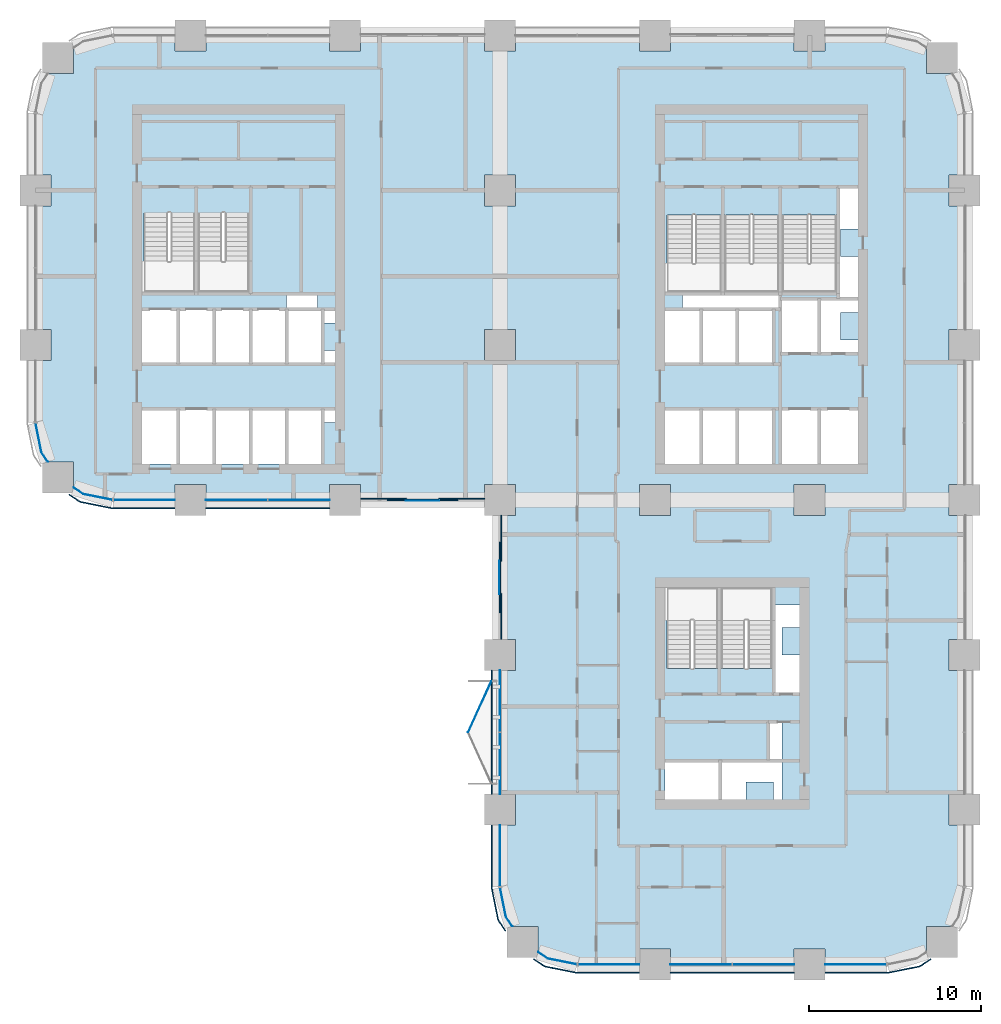
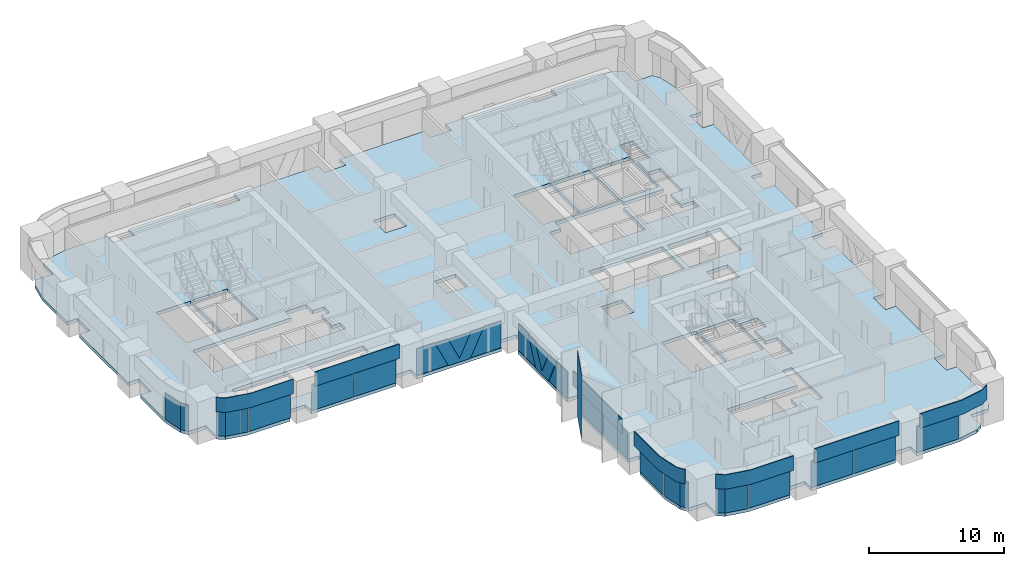
# One storey, part 10 of 19: 30 plates, 1 slab, 10 elements without a shape of their own.
"""IFC4 building model written with IfcOpenShell, lengths in metres."""

from ifc_helpers import new_model, si_unit, direction, frame, origin, origin_2d, place, context, subcontext, project, spatial, polyline, rectangle, outline, extrude, material, layer, layer_set, type_object, element, aggregate, save


model = new_model("IFC4")

# Units and contexts
model_context = context("Model", 3, precision=1e-05, world=origin(), true_north=direction((0.0, 1.0)))
body_context = subcontext(model_context, "Body", "Model", "MODEL_VIEW")
ifc_project = project(units=[si_unit("LENGTHUNIT", "METRE"), si_unit("AREAUNIT", "SQUARE_METRE"), si_unit("VOLUMEUNIT", "CUBIC_METRE"), si_unit("PLANEANGLEUNIT", "RADIAN"), si_unit("MASSUNIT", "GRAM", prefix="KILO")], contexts=[model_context])

# Site, building, storey
site_placement = place(None, origin())
site = spatial("IfcSite", under=ifc_project, at=site_placement, CompositionType="ELEMENT")
building_placement = place(site_placement, origin())
building = spatial("IfcBuilding", under=site, at=building_placement, Name="Tessera Arch", CompositionType="ELEMENT")
storey_placement = place(building_placement, frame((0.0, 0.0, 85.39990234375)))
storey = spatial("IfcBuildingStorey", under=building, at=storey_placement, Name="L19", CompositionType="ELEMENT", Elevation=85.39990234375)

# Curtain wall, plates
ifc_material_1 = material(Name="CW1 curtain wall")
curtain_wall_type_1 = type_object("IfcCurtainWallType", Name="CW1 curtain wall", PredefinedType="NOTDEFINED", material=ifc_material_1)
curtain_wall_1_placement = place(storey_placement, origin())
curtain_wall_1 = element("IfcCurtainWall", 1, at=curtain_wall_1_placement, inside=storey, type_object=curtain_wall_type_1, Name="CW1 curtain wall S27.0/1 L19", PredefinedType="NOTDEFINED")
ifc_material_2 = material(Name="Clear low-e glass", Category="glass")
ifc_material_3 = material(Name="Clear low-e glass", Category="glass")
ifc_layer_1 = layer(ifc_material_3, 0.028076171875)
ifc_layer_set_1 = layer_set([ifc_layer_1], Name="CW1 glass panel")
plate_type_1 = type_object("IfcPlateType", Name="CW1 glass panel", PredefinedType="CURTAIN_PANEL", material=ifc_layer_set_1)
plate_1_placement = place(storey_placement, frame((11.68505859375, 27.0, 0.000244140625), z_axis=(0.0, 0.0, 1.0), x_axis=(1.0, 0.0, 0.0)))
plate_1 = element("IfcPlate", 2, at=plate_1_placement, type_object=plate_type_1, material=ifc_material_2, Name="CW1 glass panel S27.0/1 1.1.1", PredefinedType="CURTAIN_PANEL", context=body_context, shape_type="SweptSolid", body=[
    extrude(rectangle(XDim=3.570068359375, YDim=0.028076171875, at=origin_2d()), origin(), (0.0, 0.0, 1.0), 2.39990234375),
])
plate_2_placement = place(storey_placement, frame((15.31494140625, 27.0, 0.000244140625), z_axis=(0.0, 0.0, 1.0), x_axis=(1.0, 0.0, 0.0)))
plate_2 = element("IfcPlate", 3, at=plate_2_placement, type_object=plate_type_1, material=ifc_material_2, Name="CW1 glass panel S27.0/1 1.2.1", PredefinedType="CURTAIN_PANEL", context=body_context, shape_type="SweptSolid", body=[
    extrude(rectangle(XDim=3.570068359375, YDim=0.028076171875, at=origin_2d()), origin(), (0.0, 0.0, 1.0), 2.39990234375),
])

curtain_wall_2_placement = place(storey_placement, origin())
curtain_wall_2 = element("IfcCurtainWall", 4, at=curtain_wall_2_placement, inside=storey, type_object=curtain_wall_type_1, Name="CW1 curtain wall W27.0/1 L19", PredefinedType="NOTDEFINED")
plate_3_placement = place(storey_placement, frame((27.0, 15.31494140625, 0.000244140625), z_axis=(0.0, 0.0, 1.0), x_axis=(0.0, -1.0, 0.0)))
plate_3 = element("IfcPlate", 5, at=plate_3_placement, type_object=plate_type_1, material=ifc_material_2, Name="CW1 glass panel W27.0/1 1.1.1", PredefinedType="CURTAIN_PANEL", context=body_context, shape_type="SweptSolid", body=[
    extrude(rectangle(XDim=3.570068359375, YDim=0.028076171875, at=origin_2d()), origin(), (0.0, 0.0, 1.0), 2.39990234375),
])
plate_4_placement = place(storey_placement, frame((27.0, 11.68505859375, 0.000244140625), z_axis=(0.0, 0.0, 1.0), x_axis=(0.0, -1.0, 0.0)))
plate_4 = element("IfcPlate", 6, at=plate_4_placement, type_object=plate_type_1, material=ifc_material_2, Name="CW1 glass panel W27.0/1 1.2.1", PredefinedType="CURTAIN_PANEL", context=body_context, shape_type="SweptSolid", body=[
    extrude(rectangle(XDim=3.570068359375, YDim=0.028076171875, at=origin_2d()), origin(), (0.0, 0.0, 1.0), 2.39990234375),
])

curtain_wall_3_placement = place(storey_placement, origin())
curtain_wall_3 = element("IfcCurtainWall", 7, at=curtain_wall_3_placement, inside=storey, type_object=curtain_wall_type_1, Name="CW1 curtain wall S0.27/1 L19", PredefinedType="NOTDEFINED")
plate_5_placement = place(storey_placement, frame((38.68505859375, 0.0, 0.000244140625), z_axis=(0.0, 0.0, 1.0), x_axis=(1.0, 0.0, 0.0)))
plate_5 = element("IfcPlate", 8, at=plate_5_placement, type_object=plate_type_1, material=ifc_material_2, Name="CW1 glass panel S0.27/1 1.1.1", PredefinedType="CURTAIN_PANEL", context=body_context, shape_type="SweptSolid", body=[
    extrude(rectangle(XDim=3.570068359375, YDim=0.028076171875, at=origin_2d()), origin(), (0.0, 0.0, 1.0), 2.39990234375),
])
plate_6_placement = place(storey_placement, frame((42.31494140625, 0.0, 0.000244140625), z_axis=(0.0, 0.0, 1.0), x_axis=(1.0, 0.0, 0.0)))
plate_6 = element("IfcPlate", 9, at=plate_6_placement, type_object=plate_type_1, material=ifc_material_2, Name="CW1 glass panel S0.27/1 1.2.1", PredefinedType="CURTAIN_PANEL", context=body_context, shape_type="SweptSolid", body=[
    extrude(rectangle(XDim=3.570068359375, YDim=0.028076171875, at=origin_2d()), origin(), (0.0, 0.0, 1.0), 2.39990234375),
])

# Plate
ifc_material_4 = material(Name="Pale anodised aluminium panel", Category="aluminium")
ifc_layer_2 = layer(ifc_material_4, 0.06005859375)
ifc_layer_set_2 = layer_set([ifc_layer_2], Name="CW1 spandrel panel")
plate_type_2 = type_object("IfcPlateType", Name="CW1 spandrel panel", PredefinedType="CURTAIN_PANEL", material=ifc_layer_set_2)
plate_7_placement = place(storey_placement, frame((13.5, 26.52001953125, 2.5), z_axis=(0.0, 0.0, 1.0), x_axis=(1.0, 0.0, 0.0)))
plate_7 = element("IfcPlate", 10, at=plate_7_placement, type_object=plate_type_2, Name="CW1 spandrel panel S27.0/1", PredefinedType="CURTAIN_PANEL", context=body_context, shape_type="SweptSolid", body=[
    extrude(rectangle(XDim=7.199951171875, YDim=0.06005859375, at=origin_2d()), origin(), (0.0, 0.0, 1.0), 1.300048828125),
])

aggregate(curtain_wall_1, [plate_1, plate_2, plate_7])

plate_8_placement = place(storey_placement, frame((26.52001953125, 13.5, 2.5), z_axis=(0.0, 0.0, 1.0), x_axis=(0.0, -1.0, 0.0)))
plate_8 = element("IfcPlate", 11, at=plate_8_placement, type_object=plate_type_2, Name="CW1 spandrel panel W27.0/1", PredefinedType="CURTAIN_PANEL", context=body_context, shape_type="SweptSolid", body=[
    extrude(rectangle(XDim=7.199951171875, YDim=0.06005859375, at=origin_2d()), origin(), (0.0, 0.0, 1.0), 1.300048828125),
])

aggregate(curtain_wall_2, [plate_3, plate_4, plate_8])

plate_9_placement = place(storey_placement, frame((40.5, -0.47998046875, 2.5), z_axis=(0.0, 0.0, 1.0), x_axis=(1.0, 0.0, 0.0)))
plate_9 = element("IfcPlate", 12, at=plate_9_placement, type_object=plate_type_2, Name="CW1 spandrel panel S0.27/1", PredefinedType="CURTAIN_PANEL", context=body_context, shape_type="SweptSolid", body=[
    extrude(rectangle(XDim=7.199951171875, YDim=0.06005859375, at=origin_2d()), origin(), (0.0, 0.0, 1.0), 1.300048828125),
])

aggregate(curtain_wall_3, [plate_5, plate_6, plate_9])

# Curtain wall, plate
ifc_material_5 = material(Name="CW2 curtain wall")
curtain_wall_type_2 = type_object("IfcCurtainWallType", Name="CW2 curtain wall", PredefinedType="NOTDEFINED", material=ifc_material_5)
curtain_wall_4_placement = place(storey_placement, origin())
curtain_wall_4 = element("IfcCurtainWall", 13, at=curtain_wall_4_placement, inside=storey, type_object=curtain_wall_type_2, Name="CW2 curtain wall W0.27/2 L19", PredefinedType="NOTDEFINED")
ifc_material_6 = material(Name="Clear low-e glass", Category="glass")
ifc_layer_3 = layer(ifc_material_6, 0.028076171875)
ifc_layer_set_3 = layer_set([ifc_layer_3], Name="CW2 glass panel")
plate_type_3 = type_object("IfcPlateType", Name="CW2 glass panel", PredefinedType="CURTAIN_PANEL", material=ifc_layer_set_3)
plate_10_placement = place(storey_placement, origin())
plate_10 = element("IfcPlate", 14, at=plate_10_placement, type_object=plate_type_3, material=ifc_material_2, Name="CW2 curved glass panel W0.27/2 2.1", PredefinedType="CURTAIN_PANEL", context=body_context, shape_type="SweptSolid", body=[
    extrude(outline(polyline([(0.355712890625, 29.783447265625), (0.021484375, 31.46337890625), (-0.005859375, 31.4580078125), (0.329345703125, 29.7724609375), (0.705078125, 29.210205078125), (0.728271484375, 29.225830078125), (0.355712890625, 29.783447265625)])), origin(), (0.0, 0.0, 1.0), 2.400146484375),
])
aggregate(curtain_wall_4, [plate_10])

# Curtain wall, plates
curtain_wall_5_placement = place(storey_placement, origin())
curtain_wall_5 = element("IfcCurtainWall", 15, at=curtain_wall_5_placement, inside=storey, type_object=curtain_wall_type_2, Name="CW2 curtain wall S27.0/0 L19", PredefinedType="NOTDEFINED")
plate_11_placement = place(storey_placement, frame((6.320068359375, 27.0, 0.000244140625), z_axis=(0.0, 0.0, 1.0), x_axis=(1.0, 0.0, 0.0)))
plate_11 = element("IfcPlate", 16, at=plate_11_placement, type_object=plate_type_3, material=ifc_material_2, Name="CW2 glass panel S27.0/0 1.1", PredefinedType="CURTAIN_PANEL", context=body_context, shape_type="SweptSolid", body=[
    extrude(rectangle(XDim=3.56005859375, YDim=0.028076171875, at=origin_2d()), origin(), (0.0, 0.0, 1.0), 2.39990234375),
])
plate_12_placement = place(storey_placement, origin())
plate_12 = element("IfcPlate", 17, at=plate_12_placement, type_object=plate_type_3, material=ifc_material_2, Name="CW2 curved glass panel S27.0/0 2.1", PredefinedType="CURTAIN_PANEL", context=body_context, shape_type="SweptSolid", body=[
    extrude(outline(polyline([(2.783447265625, 27.355712890625), (2.225830078125, 27.728271484375), (2.210205078125, 27.705078125), (2.7724609375, 27.329345703125), (4.4580078125, 26.994140625), (4.46337890625, 27.021484375), (2.783447265625, 27.355712890625)])), origin(), (0.0, 0.0, 1.0), 2.400146484375),
])

curtain_wall_6_placement = place(storey_placement, origin())
curtain_wall_6 = element("IfcCurtainWall", 18, at=curtain_wall_6_placement, inside=storey, type_object=curtain_wall_type_2, Name="CW2 curtain wall W27.0/2 L19", PredefinedType="NOTDEFINED")
plate_13_placement = place(storey_placement, frame((27.0, 6.320068359375, 0.000244140625), z_axis=(0.0, 0.0, 1.0), x_axis=(0.0, -1.0, 0.0)))
plate_13 = element("IfcPlate", 19, at=plate_13_placement, type_object=plate_type_3, material=ifc_material_2, Name="CW2 glass panel W27.0/2 1.1", PredefinedType="CURTAIN_PANEL", context=body_context, shape_type="SweptSolid", body=[
    extrude(rectangle(XDim=3.56005859375, YDim=0.028076171875, at=origin_2d()), origin(), (0.0, 0.0, 1.0), 2.39990234375),
])
plate_14_placement = place(storey_placement, origin())
plate_14 = element("IfcPlate", 20, at=plate_14_placement, type_object=plate_type_3, material=ifc_material_2, Name="CW2 curved glass panel W27.0/2 2.1", PredefinedType="CURTAIN_PANEL", context=body_context, shape_type="SweptSolid", body=[
    extrude(outline(polyline([(27.355712890625, 2.783447265625), (27.021484375, 4.46337890625), (26.994140625, 4.4580078125), (27.329345703125, 2.7724609375), (27.705078125, 2.210205078125), (27.728271484375, 2.225830078125), (27.355712890625, 2.783447265625)])), origin(), (0.0, 0.0, 1.0), 2.400146484375),
])

curtain_wall_7_placement = place(storey_placement, origin())
curtain_wall_7 = element("IfcCurtainWall", 21, at=curtain_wall_7_placement, inside=storey, type_object=curtain_wall_type_2, Name="CW2 curtain wall S0.27/0 L19", PredefinedType="NOTDEFINED")
plate_15_placement = place(storey_placement, frame((33.320068359375, 0.0, 0.000244140625), z_axis=(0.0, 0.0, 1.0), x_axis=(1.0, 0.0, 0.0)))
plate_15 = element("IfcPlate", 22, at=plate_15_placement, type_object=plate_type_3, material=ifc_material_2, Name="CW2 glass panel S0.27/0 1.1", PredefinedType="CURTAIN_PANEL", context=body_context, shape_type="SweptSolid", body=[
    extrude(rectangle(XDim=3.56005859375, YDim=0.028076171875, at=origin_2d()), origin(), (0.0, 0.0, 1.0), 2.39990234375),
])
plate_16_placement = place(storey_placement, origin())
plate_16 = element("IfcPlate", 23, at=plate_16_placement, type_object=plate_type_3, material=ifc_material_2, Name="CW2 curved glass panel S0.27/0 2.1", PredefinedType="CURTAIN_PANEL", context=body_context, shape_type="SweptSolid", body=[
    extrude(outline(polyline([(29.783447265625, 0.355712890625), (29.225830078125, 0.728271484375), (29.210205078125, 0.705078125), (29.7724609375, 0.329345703125), (31.4580078125, -0.005859375), (31.46337890625, 0.021484375), (29.783447265625, 0.355712890625)])), origin(), (0.0, 0.0, 1.0), 2.400146484375),
])

# Curtain wall, plate
curtain_wall_8_placement = place(storey_placement, origin())
curtain_wall_8 = element("IfcCurtainWall", 24, at=curtain_wall_8_placement, inside=storey, type_object=curtain_wall_type_2, Name="CW2 curtain wall S0.27/2 L19", PredefinedType="NOTDEFINED")
plate_17_placement = place(storey_placement, frame((47.679931640625, 0.0, 0.000244140625), z_axis=(0.0, 0.0, 1.0), x_axis=(1.0, 0.0, 0.0)))
plate_17 = element("IfcPlate", 25, at=plate_17_placement, type_object=plate_type_3, material=ifc_material_2, Name="CW2 glass panel S0.27/2 1.1", PredefinedType="CURTAIN_PANEL", context=body_context, shape_type="SweptSolid", body=[
    extrude(rectangle(XDim=3.56005859375, YDim=0.028076171875, at=origin_2d()), origin(), (0.0, 0.0, 1.0), 2.39990234375),
])

# Plate
ifc_material_7 = material(Name="Pale anodised aluminium panel", Category="aluminium")
ifc_layer_4 = layer(ifc_material_7, 0.06005859375)
ifc_layer_set_4 = layer_set([ifc_layer_4], Name="CW2 spandrel panel")
plate_type_4 = type_object("IfcPlateType", Name="CW2 spandrel panel", PredefinedType="CURTAIN_PANEL", material=ifc_layer_set_4)
plate_18_placement = place(storey_placement, frame((0.0, 0.0, 2.5)))
plate_18 = element("IfcPlate", 26, at=plate_18_placement, type_object=plate_type_4, Name="CW2 spandrel panel S27.0/0", PredefinedType="CURTAIN_PANEL", context=body_context, shape_type="SweptSolid", body=[
    extrude(outline(polyline([(2.52734375, 26.96875), (1.968017578125, 27.342529296875), (1.9345703125, 27.292724609375), (2.4951171875, 26.91796875), (2.537353515625, 26.892822265625), (2.582763671875, 26.871337890625), (2.6298828125, 26.8544921875), (2.677734375, 26.842529296875), (4.401123046875, 26.499755859375), (4.449951171875, 26.492431640625), (4.499267578125, 26.489990234375), (8.10009765625, 26.489990234375), (8.10009765625, 26.550048828125), (4.500732421875, 26.550048828125), (4.455810546875, 26.55224609375), (4.411376953125, 26.558837890625), (2.69091796875, 26.90087890625), (2.647216796875, 26.911865234375), (2.605712890625, 26.9267578125), (2.565673828125, 26.94580078125), (2.52734375, 26.96875)])), origin(), (0.0, 0.0, 1.0), 1.300048828125),
])

aggregate(curtain_wall_5, [plate_11, plate_12, plate_18])

plate_19_placement = place(storey_placement, frame((0.0, 0.0, 2.5)))
plate_19 = element("IfcPlate", 27, at=plate_19_placement, type_object=plate_type_4, Name="CW2 spandrel panel W27.0/2", PredefinedType="CURTAIN_PANEL", context=body_context, shape_type="SweptSolid", body=[
    extrude(outline(polyline([(26.550048828125, 4.500732421875), (26.550048828125, 8.10009765625), (26.489990234375, 8.10009765625), (26.489990234375, 4.499267578125), (26.492431640625, 4.449951171875), (26.499755859375, 4.401123046875), (26.842529296875, 2.677734375), (26.8544921875, 2.6298828125), (26.871337890625, 2.582763671875), (26.892822265625, 2.537353515625), (26.91796875, 2.4951171875), (27.292724609375, 1.9345703125), (27.342529296875, 1.968017578125), (26.96875, 2.52734375), (26.94580078125, 2.565673828125), (26.9267578125, 2.605712890625), (26.911865234375, 2.647216796875), (26.90087890625, 2.69091796875), (26.558837890625, 4.411376953125), (26.55224609375, 4.455810546875), (26.550048828125, 4.500732421875)])), origin(), (0.0, 0.0, 1.0), 1.300048828125),
])

aggregate(curtain_wall_6, [plate_13, plate_14, plate_19])

plate_20_placement = place(storey_placement, frame((0.0, 0.0, 2.5)))
plate_20 = element("IfcPlate", 28, at=plate_20_placement, type_object=plate_type_4, Name="CW2 spandrel panel S0.27/0", PredefinedType="CURTAIN_PANEL", context=body_context, shape_type="SweptSolid", body=[
    extrude(outline(polyline([(29.52734375, -0.03125), (28.968017578125, 0.342529296875), (28.9345703125, 0.292724609375), (29.4951171875, -0.08203125), (29.537353515625, -0.107177734375), (29.582763671875, -0.128662109375), (29.6298828125, -0.1455078125), (29.677734375, -0.157470703125), (31.401123046875, -0.500244140625), (31.449951171875, -0.507568359375), (31.499267578125, -0.510009765625), (35.10009765625, -0.510009765625), (35.10009765625, -0.449951171875), (31.500732421875, -0.449951171875), (31.455810546875, -0.44775390625), (31.411376953125, -0.441162109375), (29.69091796875, -0.09912109375), (29.647216796875, -0.088134765625), (29.605712890625, -0.0732421875), (29.565673828125, -0.05419921875), (29.52734375, -0.03125)])), origin(), (0.0, 0.0, 1.0), 1.300048828125),
])

aggregate(curtain_wall_7, [plate_15, plate_16, plate_20])

plate_21_placement = place(storey_placement, frame((0.0, 0.0, 2.5)))
plate_21 = element("IfcPlate", 29, at=plate_21_placement, type_object=plate_type_4, Name="CW2 spandrel panel S0.27/2", PredefinedType="CURTAIN_PANEL", context=body_context, shape_type="SweptSolid", body=[
    extrude(outline(polyline([(49.499267578125, -0.449951171875), (45.89990234375, -0.449951171875), (45.89990234375, -0.510009765625), (49.500732421875, -0.510009765625), (49.550048828125, -0.507568359375), (49.598876953125, -0.500244140625), (51.322265625, -0.157470703125), (51.3701171875, -0.1455078125), (51.417236328125, -0.128662109375), (51.462646484375, -0.107177734375), (51.5048828125, -0.08203125), (52.0654296875, 0.292724609375), (52.031982421875, 0.342529296875), (51.47265625, -0.03125), (51.434326171875, -0.05419921875), (51.394287109375, -0.0732421875), (51.352783203125, -0.088134765625), (51.30908203125, -0.09912109375), (49.588623046875, -0.441162109375), (49.544189453125, -0.44775390625), (49.499267578125, -0.449951171875)])), origin(), (0.0, 0.0, 1.0), 1.300048828125),
])

aggregate(curtain_wall_8, [plate_17, plate_21])

# Curtain wall, plates
ifc_material_8 = material(Name="CW3 curtain wall")
curtain_wall_type_3 = type_object("IfcCurtainWallType", Name="CW3 curtain wall", PredefinedType="NOTDEFINED", material=ifc_material_8)
curtain_wall_9_placement = place(storey_placement, origin())
curtain_wall_9 = element("IfcCurtainWall", 30, at=curtain_wall_9_placement, inside=storey, type_object=curtain_wall_type_3, Name="CW3 curtain wall S27.0/2 L19", PredefinedType="NOTDEFINED")
ifc_material_9 = material(Name="Pale anodised aluminium panel", Category="aluminium")
ifc_layer_5 = layer(ifc_material_9, 0.06005859375)
ifc_layer_set_5 = layer_set([ifc_layer_5], Name="CW3 diagonal panel")
plate_type_5 = type_object("IfcPlateType", Name="CW3 diagonal panel", PredefinedType="CURTAIN_PANEL", material=ifc_layer_set_5)
plate_22_placement = place(storey_placement, frame((24.565673828125, 26.969970703125, 2.400146484375), z_axis=(0.0, -1.0, 0.0), x_axis=(-1.0, 0.0, 0.0)))
plate_22 = element("IfcPlate", 31, at=plate_22_placement, type_object=plate_type_5, Name="CW3 diagonal panel S27.0/2 1", PredefinedType="CURTAIN_PANEL", context=body_context, shape_type="SweptSolid", body=[
    extrude(outline(polyline([(0.0, 0.0), (1.099853515625, 0.0), (2.065673828125, 2.0390625), (3.031494140625, 0.0), (4.13134765625, 0.0), (2.99462890625, 2.400146484375), (1.13671875, 2.400146484375), (0.0, 0.0)])), origin(), (0.0, 0.0, -1.0), 0.06005859375),
])
plate_23_placement = place(storey_placement, frame((18.89990234375, 27.030029296875, 0.0), z_axis=(0.0, -1.0, 0.0), x_axis=(1.0, 0.0, 0.0)))
plate_23 = element("IfcPlate", 32, at=plate_23_placement, type_object=plate_type_5, Name="CW3 diagonal panel S27.0/2 2", PredefinedType="CURTAIN_PANEL", context=body_context, shape_type="SweptSolid", body=[
    extrude(outline(polyline([(0.0, 0.0), (2.671142578125, 0.0), (1.534423828125, 2.400146484375), (0.0, 2.400146484375), (0.0, 0.0)])), origin(), (0.0, 0.0, -1.0), 0.06005859375),
])
plate_24_placement = place(storey_placement, frame((26.10009765625, 27.030029296875, 2.400146484375), z_axis=(0.0, -1.0, 0.0), x_axis=(-1.0, 0.0, 0.0)))
plate_24 = element("IfcPlate", 33, at=plate_24_placement, type_object=plate_type_5, Name="CW3 diagonal panel S27.0/2 3", PredefinedType="CURTAIN_PANEL", context=body_context, shape_type="SweptSolid", body=[
    extrude(outline(polyline([(0.0, 0.0), (1.534423828125, 0.0), (2.671142578125, 2.400146484375), (0.0, 2.400146484375), (0.0, 0.0)])), origin(), (0.0, 0.0, -1.0), 0.06005859375),
])

curtain_wall_10_placement = place(storey_placement, origin())
curtain_wall_10 = element("IfcCurtainWall", 34, at=curtain_wall_10_placement, inside=storey, type_object=curtain_wall_type_3, Name="CW3 curtain wall W27.0/0 L19", PredefinedType="NOTDEFINED")
plate_25_placement = place(storey_placement, frame((26.969970703125, 20.434326171875, 2.400146484375), z_axis=(-1.0, 0.0, 0.0), x_axis=(0.0, 1.0, 0.0)))
plate_25 = element("IfcPlate", 35, at=plate_25_placement, type_object=plate_type_5, Name="CW3 diagonal panel W27.0/0 1", PredefinedType="CURTAIN_PANEL", context=body_context, shape_type="SweptSolid", body=[
    extrude(outline(polyline([(0.0, 0.0), (1.099853515625, 0.0), (2.065673828125, 2.0390625), (3.031494140625, 0.0), (4.13134765625, 0.0), (2.99462890625, 2.400146484375), (1.13671875, 2.400146484375), (0.0, 0.0)])), origin(), (0.0, 0.0, -1.0), 0.06005859375),
])
plate_26_placement = place(storey_placement, frame((27.030029296875, 26.10009765625, 0.0), z_axis=(-1.0, 0.0, 0.0), x_axis=(0.0, -1.0, 0.0)))
plate_26 = element("IfcPlate", 36, at=plate_26_placement, type_object=plate_type_5, Name="CW3 diagonal panel W27.0/0 2", PredefinedType="CURTAIN_PANEL", context=body_context, shape_type="SweptSolid", body=[
    extrude(outline(polyline([(0.0, 0.0), (2.671142578125, 0.0), (1.534423828125, 2.400146484375), (0.0, 2.400146484375), (0.0, 0.0)])), origin(), (0.0, 0.0, -1.0), 0.06005859375),
])
plate_27_placement = place(storey_placement, frame((27.030029296875, 18.89990234375, 2.400146484375), z_axis=(-1.0, 0.0, 0.0), x_axis=(0.0, 1.0, 0.0)))
plate_27 = element("IfcPlate", 37, at=plate_27_placement, type_object=plate_type_5, Name="CW3 diagonal panel W27.0/0 3", PredefinedType="CURTAIN_PANEL", context=body_context, shape_type="SweptSolid", body=[
    extrude(outline(polyline([(0.0, 0.0), (1.534423828125, 0.0), (2.671142578125, 2.400146484375), (0.0, 2.400146484375), (0.0, 0.0)])), origin(), (0.0, 0.0, -1.0), 0.06005859375),
])

# Plate
ifc_material_10 = material(Name="Clear low-e glass", Category="glass")
ifc_layer_6 = layer(ifc_material_10, 0.028076171875)
ifc_layer_set_6 = layer_set([ifc_layer_6], Name="CW3 glass panel")
plate_type_6 = type_object("IfcPlateType", Name="CW3 glass panel", PredefinedType="CURTAIN_PANEL", material=ifc_layer_set_6)
plate_28_placement = place(storey_placement, frame((23.4658203125, 26.94189453125, 2.400146484375), z_axis=(0.0, -1.0, 0.0), x_axis=(-1.0, 0.0, 0.0)))
plate_28 = element("IfcPlate", 38, at=plate_28_placement, type_object=plate_type_6, material=ifc_material_2, Name="CW3 triangulated glass panel S27.0/2 1", PredefinedType="CURTAIN_PANEL", context=body_context, shape_type="SweptSolid", body=[
    extrude(outline(polyline([(0.0, 0.0), (1.931640625, 0.0), (0.9658203125, 2.0390625), (0.0, 0.0)])), origin(), (0.0, 0.0, -1.0), 0.028076171875),
])

aggregate(curtain_wall_9, [plate_28, plate_22, plate_23, plate_24])

plate_29_placement = place(storey_placement, frame((26.94189453125, 21.5341796875, 2.400146484375), z_axis=(-1.0, 0.0, 0.0), x_axis=(0.0, 1.0, 0.0)))
plate_29 = element("IfcPlate", 39, at=plate_29_placement, type_object=plate_type_6, material=ifc_material_2, Name="CW3 triangulated glass panel W27.0/0 1", PredefinedType="CURTAIN_PANEL", context=body_context, shape_type="SweptSolid", body=[
    extrude(outline(polyline([(0.0, 0.0), (1.931640625, 0.0), (0.9658203125, 2.0390625), (0.0, 0.0)])), origin(), (0.0, 0.0, -1.0), 0.028076171875),
])

aggregate(curtain_wall_10, [plate_29, plate_25, plate_26, plate_27])

# Slab
ifc_material_11 = material(Name="Concrete C40/50", Category="concrete")
ifc_layer_7 = layer(ifc_material_11, 0.300048828125)
ifc_layer_set_7 = layer_set([ifc_layer_7], Name="Floor slab 300 Concrete C40/50")
slab_type = type_object("IfcSlabType", Name="Floor slab 300 Concrete C40/50", PredefinedType="FLOOR", material=ifc_layer_set_7)
slab_placement = place(storey_placement, frame((0.0, 0.0, -0.2998046875)))
element("IfcSlab", 40, at=slab_placement, inside=storey, type_object=slab_type, Name="Floor slab L19 1", PredefinedType="FLOOR", context=body_context, shape_type="SweptSolid", body=[
    extrude(outline(polyline([(49.5, 54.0), (51.22216796875, 53.657470703125), (51.781982421875, 53.283447265625), (51.781982421875, 51.781982421875), (53.283447265625, 51.781982421875), (53.657470703125, 51.22216796875), (54.0, 49.5), (54.0, 45.89990234375), (53.10009765625, 45.89990234375), (53.10009765625, 44.10009765625), (54.0, 44.10009765625), (54.0, 36.89990234375), (53.10009765625, 36.89990234375), (53.10009765625, 35.10009765625), (54.0, 35.10009765625), (54.0, 27.89990234375), (53.10009765625, 27.89990234375), (53.10009765625, 26.10009765625), (54.0, 26.10009765625), (54.0, 18.89990234375), (53.10009765625, 18.89990234375), (53.10009765625, 17.10009765625), (54.0, 17.10009765625), (54.0, 9.89990234375), (53.10009765625, 9.89990234375), (53.10009765625, 8.10009765625), (54.0, 8.10009765625), (54.0, 4.5), (53.657470703125, 2.77783203125), (53.283447265625, 2.218017578125), (51.781982421875, 2.218017578125), (51.781982421875, 0.716552734375), (51.22216796875, 0.342529296875), (49.5, 0.0), (45.89990234375, 0.0), (45.89990234375, 0.89990234375), (44.10009765625, 0.89990234375), (44.10009765625, 0.0), (36.89990234375, 0.0), (36.89990234375, 0.89990234375), (35.10009765625, 0.89990234375), (35.10009765625, 0.0), (31.5, 0.0), (29.77783203125, 0.342529296875), (29.218017578125, 0.716552734375), (29.218017578125, 2.218017578125), (27.716552734375, 2.218017578125), (27.342529296875, 2.77783203125), (27.0, 4.5), (27.0, 8.10009765625), (27.89990234375, 8.10009765625), (27.89990234375, 9.89990234375), (27.0, 9.89990234375), (27.0, 17.10009765625), (27.89990234375, 17.10009765625), (27.89990234375, 18.89990234375), (27.0, 18.89990234375), (27.0, 26.10009765625), (27.89990234375, 26.10009765625), (27.89990234375, 27.89990234375), (26.10009765625, 27.89990234375), (26.10009765625, 27.0), (18.89990234375, 27.0), (18.89990234375, 27.89990234375), (17.10009765625, 27.89990234375), (17.10009765625, 27.0), (9.89990234375, 27.0), (9.89990234375, 27.89990234375), (8.10009765625, 27.89990234375), (8.10009765625, 27.0), (4.5, 27.0), (2.77783203125, 27.342529296875), (2.218017578125, 27.716552734375), (2.218017578125, 29.218017578125), (0.716552734375, 29.218017578125), (0.342529296875, 29.77783203125), (0.0, 31.5), (0.0, 35.10009765625), (0.89990234375, 35.10009765625), (0.89990234375, 36.89990234375), (0.0, 36.89990234375), (0.0, 44.10009765625), (0.89990234375, 44.10009765625), (0.89990234375, 45.89990234375), (0.0, 45.89990234375), (0.0, 49.5), (0.342529296875, 51.22216796875), (0.716552734375, 51.781982421875), (2.218017578125, 51.781982421875), (2.218017578125, 53.283447265625), (2.77783203125, 53.657470703125), (4.5, 54.0), (8.10009765625, 54.0), (8.10009765625, 53.10009765625), (9.89990234375, 53.10009765625), (9.89990234375, 54.0), (17.10009765625, 54.0), (17.10009765625, 53.10009765625), (18.89990234375, 53.10009765625), (18.89990234375, 54.0), (26.10009765625, 54.0), (26.10009765625, 53.10009765625), (27.89990234375, 53.10009765625), (27.89990234375, 54.0), (35.10009765625, 54.0), (35.10009765625, 53.10009765625), (36.89990234375, 53.10009765625), (36.89990234375, 54.0), (44.10009765625, 54.0), (44.10009765625, 53.10009765625), (45.89990234375, 53.10009765625), (45.89990234375, 54.0), (49.5, 54.0)]), holes=[polyline([(6.199951171875, 32.300048828125), (6.199951171875, 29.10009765625), (8.300048828125, 29.10009765625), (10.39990234375, 29.10009765625), (12.5, 29.10009765625), (14.60009765625, 29.10009765625), (16.699951171875, 29.10009765625), (16.699951171875, 31.5), (17.39990234375, 31.5), (17.39990234375, 32.300048828125), (16.699951171875, 32.300048828125), (14.60009765625, 32.300048828125), (12.5, 32.300048828125), (10.39990234375, 32.300048828125), (8.300048828125, 32.300048828125), (6.199951171875, 32.300048828125)]), polyline([(14.60009765625, 34.89990234375), (16.699951171875, 34.89990234375), (17.39990234375, 34.89990234375), (17.39990234375, 35.699951171875), (16.699951171875, 35.699951171875), (16.699951171875, 37.300048828125), (17.39990234375, 37.300048828125), (17.39990234375, 38.10009765625), (16.699951171875, 38.10009765625), (16.39990234375, 38.10009765625), (16.39990234375, 39.0), (14.60009765625, 39.0), (14.60009765625, 38.10009765625), (12.5, 38.10009765625), (10.39990234375, 38.10009765625), (8.300048828125, 38.10009765625), (6.199951171875, 38.10009765625), (6.199951171875, 34.89990234375), (8.300048828125, 34.89990234375), (10.39990234375, 34.89990234375), (12.5, 34.89990234375), (14.60009765625, 34.89990234375)]), polyline([(11.0, 43.699951171875), (10.85009765625, 43.699951171875), (10.85009765625, 43.68994140625), (9.449951171875, 43.68994140625), (9.449951171875, 39.199951171875), (12.39990234375, 39.199951171875), (12.39990234375, 43.68994140625), (11.0, 43.68994140625), (11.0, 43.699951171875)]), polyline([(7.85009765625, 43.699951171875), (7.699951171875, 43.699951171875), (7.699951171875, 43.68994140625), (6.300048828125, 43.68994140625), (6.300048828125, 39.199951171875), (9.25, 39.199951171875), (9.25, 43.68994140625), (7.85009765625, 43.68994140625), (7.85009765625, 43.699951171875)]), polyline([(43.39990234375, 9.60009765625), (43.39990234375, 11.89990234375), (43.39990234375, 14.10009765625), (42.60009765625, 14.10009765625), (42.60009765625, 11.89990234375), (39.800048828125, 11.89990234375), (39.800048828125, 11.85009765625), (36.60009765625, 11.85009765625), (36.60009765625, 9.60009765625), (39.800048828125, 9.60009765625), (41.300048828125, 9.60009765625), (41.300048828125, 10.60009765625), (42.89990234375, 10.60009765625), (42.89990234375, 9.60009765625), (43.39990234375, 9.60009765625)]), polyline([(41.25, 17.199951171875), (41.39990234375, 17.199951171875), (41.39990234375, 17.2099609375), (42.800048828125, 17.2099609375), (42.800048828125, 21.699951171875), (39.85009765625, 21.699951171875), (39.85009765625, 17.2099609375), (41.25, 17.2099609375), (41.25, 17.199951171875)]), polyline([(38.10009765625, 17.199951171875), (38.25, 17.199951171875), (38.25, 17.2099609375), (39.64990234375, 17.2099609375), (39.64990234375, 21.699951171875), (36.699951171875, 21.699951171875), (36.699951171875, 17.2099609375), (38.10009765625, 17.2099609375), (38.10009765625, 17.199951171875)]), polyline([(35.10009765625, 26.10009765625), (36.89990234375, 26.10009765625), (36.89990234375, 27.89990234375), (35.10009765625, 27.89990234375), (35.10009765625, 26.10009765625)]), polyline([(38.699951171875, 29.10009765625), (40.800048828125, 29.10009765625), (42.89990234375, 29.10009765625), (42.89990234375, 32.300048828125), (40.800048828125, 32.300048828125), (38.699951171875, 32.300048828125), (36.60009765625, 32.300048828125), (36.60009765625, 29.10009765625), (38.699951171875, 29.10009765625)]), polyline([(26.10009765625, 35.10009765625), (27.89990234375, 35.10009765625), (27.89990234375, 36.89990234375), (26.10009765625, 36.89990234375), (26.10009765625, 35.10009765625)]), polyline([(43.300048828125, 39.0), (37.60009765625, 39.0), (37.60009765625, 38.10009765625), (36.60009765625, 38.10009765625), (36.60009765625, 34.89990234375), (38.699951171875, 34.89990234375), (40.800048828125, 34.89990234375), (42.89990234375, 34.89990234375), (42.89990234375, 38.10009765625), (43.300048828125, 38.10009765625), (43.300048828125, 35.5), (45.550048828125, 35.5), (47.800048828125, 35.5), (47.800048828125, 36.300048828125), (46.800048828125, 36.300048828125), (46.800048828125, 37.89990234375), (47.800048828125, 37.89990234375), (47.800048828125, 38.699951171875), (47.800048828125, 41.14990234375), (46.800048828125, 41.14990234375), (46.800048828125, 42.75), (47.800048828125, 42.75), (47.800048828125, 45.199951171875), (46.64990234375, 45.199951171875), (46.64990234375, 38.699951171875), (45.550048828125, 38.699951171875), (43.300048828125, 38.699951171875), (43.300048828125, 39.0)]), polyline([(38.330078125, 43.580078125), (38.219970703125, 43.580078125), (38.219970703125, 43.570068359375), (36.699951171875, 43.570068359375), (36.699951171875, 39.199951171875), (39.85009765625, 39.199951171875), (39.85009765625, 43.570068359375), (38.330078125, 43.570068359375), (38.330078125, 43.580078125)]), polyline([(26.10009765625, 44.10009765625), (27.89990234375, 44.10009765625), (27.89990234375, 45.89990234375), (26.10009765625, 45.89990234375), (26.10009765625, 44.10009765625)]), polyline([(42.89990234375, 15.699951171875), (44.39990234375, 15.699951171875), (44.39990234375, 18.0), (43.39990234375, 18.0), (43.39990234375, 19.60009765625), (44.39990234375, 19.60009765625), (44.39990234375, 20.89990234375), (42.89990234375, 20.89990234375), (42.89990234375, 15.699951171875)]), polyline([(44.10009765625, 26.10009765625), (45.89990234375, 26.10009765625), (45.89990234375, 27.89990234375), (44.10009765625, 27.89990234375), (44.10009765625, 26.10009765625)]), polyline([(45.550048828125, 29.10009765625), (47.800048828125, 29.10009765625), (47.800048828125, 32.300048828125), (45.550048828125, 32.300048828125), (43.300048828125, 32.300048828125), (43.300048828125, 29.10009765625), (45.550048828125, 29.10009765625)]), polyline([(45.030029296875, 43.580078125), (44.919921875, 43.580078125), (44.919921875, 43.570068359375), (43.39990234375, 43.570068359375), (43.39990234375, 39.199951171875), (46.550048828125, 39.199951171875), (46.550048828125, 43.570068359375), (45.030029296875, 43.570068359375), (45.030029296875, 43.580078125)]), polyline([(41.679931640625, 43.580078125), (41.570068359375, 43.580078125), (41.570068359375, 43.570068359375), (40.050048828125, 43.570068359375), (40.050048828125, 39.199951171875), (43.199951171875, 39.199951171875), (43.199951171875, 43.570068359375), (41.679931640625, 43.570068359375), (41.679931640625, 43.580078125)])]), origin(), (0.0, 0.0, 1.0), 0.2998046875),
])

# Plate
ifc_material_12 = material(Name="Clear low-e glass", Category="glass")
ifc_layer_8 = layer(ifc_material_12, 0.028076171875)
ifc_layer_set_8 = layer_set([ifc_layer_8], Name="Window box glass facet")
plate_type_7 = type_object("IfcPlateType", Name="Window box glass facet", PredefinedType="SHEET", material=ifc_layer_set_8)
plate_30_placement = place(storey_placement, frame((25.820068359375, 14.97509765625, 0.22021484375), z_axis=(0.0, 0.0, 1.0), x_axis=(-0.413570397858, -0.910472144558, 0.0)))
element("IfcPlate", 41, at=plate_30_placement, inside=storey, type_object=plate_type_7, Name="Window box W27.0/1.0 2x2 glass", PredefinedType="SHEET", context=body_context, shape_type="SweptSolid", body=[
    extrude(rectangle(XDim=3.239990234375, YDim=0.028076171875, at=origin_2d()), origin(), (0.0, 0.0, 1.0), 5.860107421875),
])

save(model, "model.ifc")
